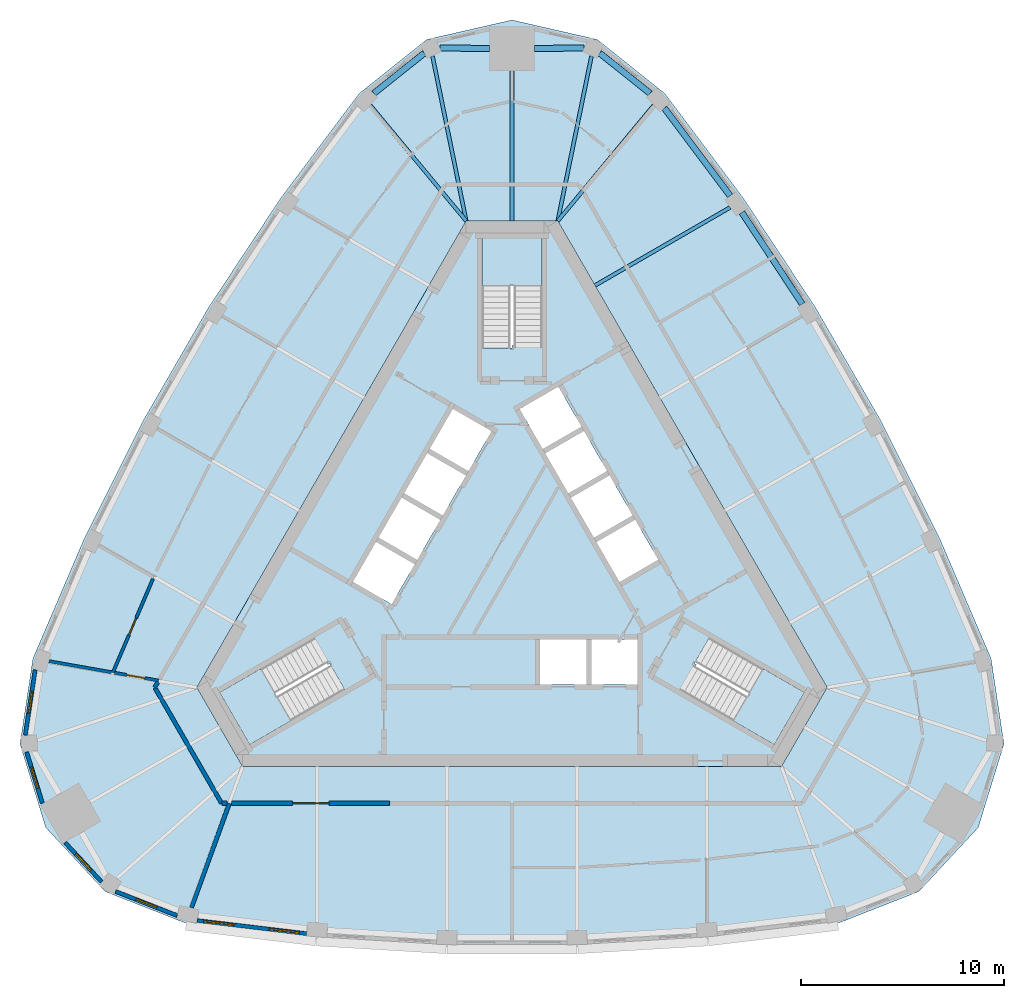
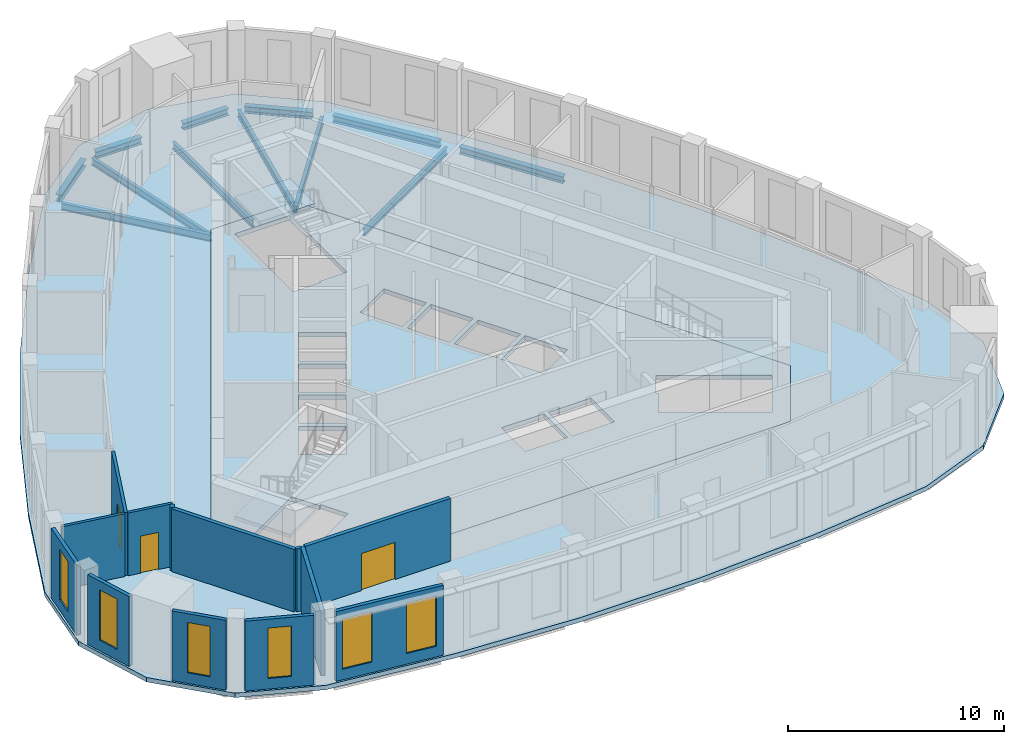
# One storey, part 2 of 10: 13 walls, 12 beams, 6 windows, 5 slabs, 3 doors, 9 openings, 3 elements without a shape of their own.
"""IFC4 building model written with IfcOpenShell, lengths in metres."""

import ifcopenshell
import ifcopenshell.guid

model = None  # the IFC model being written
_history = None  # IfcOwnerHistory: only IFC2X3 demands one
_inside = {}  # id of a spatial element -> (the spatial element, [elements in it])
_under = {}  # id of a project, library or spatial element -> (it, [spatial elements below it])
_declared = {}  # id of a project -> (the project, [libraries it declares])
_typed = {}  # id of a type object -> (the type object, [elements of that type])
_made_of = {}  # id of a material, layer set ... -> (it, [elements and type objects made of it])


def new_model(schema):
    """Start an empty IFC model of exactly this schema.

    Asked for "IFC4X3", IfcOpenShell would pick the latest addendum, in which some entities
    have other attributes; the version numbers below select the first issue.
    IFC2X3 requires an IfcOwnerHistory on every rooted entity: one is made here for all.
    """
    global model, _history
    if schema == "IFC4X3":
        model = ifcopenshell.file(schema_version=(4, 3, 0, 0))
    else:
        model = ifcopenshell.file(schema=schema)
    _inside.clear()
    _under.clear()
    _declared.clear()
    _typed.clear()
    _made_of.clear()
    _history = None
    if model.schema == "IFC2X3":
        org = make("IfcOrganization", Name="unknown")
        user = make(
            "IfcPersonAndOrganization",
            ThePerson=make("IfcPerson", FamilyName="unknown"),
            TheOrganization=org,
        )
        app = make(
            "IfcApplication",
            ApplicationDeveloper=org,
            Version="unknown",
            ApplicationFullName="unknown",
            ApplicationIdentifier="unknown",
        )
        _history = make(
            "IfcOwnerHistory",
            OwningUser=user,
            OwningApplication=app,
            ChangeAction="ADDED",
            CreationDate=0,
        )
    return model


def make(cls, **values):
    """One entity of the class cls with the attributes given. An attribute that is None is left unset."""
    return model.create_entity(
        cls, **{name: value for name, value in values.items() if value is not None}
    )


def rooted(cls, **values):
    """An entity with a GlobalId (a new one), such as an element, a storey or a relation."""
    return make(cls, GlobalId=ifcopenshell.guid.new(), OwnerHistory=_history, **values)


def si_unit(unit_type, name, prefix=None):
    """IfcSIUnit, for example si_unit("LENGTHUNIT", "METRE", prefix="MILLI")."""
    return make("IfcSIUnit", UnitType=unit_type, Prefix=prefix, Name=name)


def assignment(units):
    """IfcUnitAssignment: the units of a project."""
    return None if units is None else make("IfcUnitAssignment", Units=units)


def point(xyz):
    """IfcCartesianPoint."""
    return None if xyz is None else make("IfcCartesianPoint", Coordinates=xyz)


def direction(xyz):
    """IfcDirection."""
    return None if xyz is None else make("IfcDirection", DirectionRatios=xyz)


def frame(location, z_axis=None, x_axis=None):
    """IfcAxis2Placement3D, a coordinate frame: its origin and axes. An axis left out is left unset."""
    return make(
        "IfcAxis2Placement3D",
        Location=point(location),
        Axis=direction(z_axis),
        RefDirection=direction(x_axis),
    )


def frame_2d(location, x_axis=None):
    """IfcAxis2Placement2D, a coordinate frame in the plane: its origin and x axis."""
    return make(
        "IfcAxis2Placement2D", Location=point(location), RefDirection=direction(x_axis)
    )


def origin():
    """The frame at (0, 0, 0) with its axes left unset."""
    return frame((0.0, 0.0, 0.0))


def origin_2d():
    """The frame at (0, 0) in the plane with its x axis left unset."""
    return frame_2d((0.0, 0.0))


def place(relative_to, where):
    """IfcLocalPlacement: puts the frame where relative to a parent placement (None: the world)."""
    return make(
        "IfcLocalPlacement", PlacementRelTo=relative_to, RelativePlacement=where
    )


def context(
    kind, dimensions, precision=None, world=None, true_north=None, identifier=None
):
    """IfcGeometricRepresentationContext, for example the 3D "Model" context."""
    return make(
        "IfcGeometricRepresentationContext",
        ContextIdentifier=identifier,
        ContextType=kind,
        CoordinateSpaceDimension=dimensions,
        Precision=precision,
        WorldCoordinateSystem=world,
        TrueNorth=true_north,
    )


def subcontext(parent, identifier, kind, view, scale=None):
    """IfcGeometricRepresentationSubContext, for example "Body" below "Model"."""
    return make(
        "IfcGeometricRepresentationSubContext",
        ContextIdentifier=identifier,
        ContextType=kind,
        ParentContext=parent,
        TargetScale=scale,
        TargetView=view,
    )


def project(units=None, contexts=None):
    """IfcProject with its units and contexts."""
    return rooted(
        "IfcProject",
        Name="project",
        RepresentationContexts=contexts,
        UnitsInContext=assignment(units),
    )


def spatial(cls, under=None, at=None, **own):
    """A site, building, storey or space (cls), placed at a placement, below another one or the project."""
    s = rooted(cls, ObjectPlacement=at, **own)
    if under is not None:
        _under.setdefault(under.id(), (under, []))[1].append(s)
    return s


def polyline(points):
    """IfcPolyline through the points."""
    return make("IfcPolyline", Points=[point(p) for p in points])


def profile(cls, at=None, kind="AREA", **sizes):
    """A parametric profile (cls). Its sizes go by their IFC names, for example OverallWidth=200.0."""
    return make(cls, ProfileType=kind, Position=at, **sizes)


def rectangle(**sizes):
    """IfcRectangleProfileDef."""
    return profile("IfcRectangleProfileDef", **sizes)


def i_section(**sizes):
    """IfcIShapeProfileDef."""
    return profile("IfcIShapeProfileDef", **sizes)


def outline(outer, holes=None, kind="AREA"):
    """IfcArbitraryClosedProfileDef: a profile drawn as a closed curve; with holes, ...WithVoids."""
    if holes is None:
        return make("IfcArbitraryClosedProfileDef", ProfileType=kind, OuterCurve=outer)
    return make(
        "IfcArbitraryProfileDefWithVoids",
        ProfileType=kind,
        OuterCurve=outer,
        InnerCurves=holes,
    )


def extrude(swept, where, along, depth):
    """IfcExtrudedAreaSolid: the profile swept, set in the frame where, extruded along a direction by depth."""
    return make(
        "IfcExtrudedAreaSolid",
        SweptArea=swept,
        Position=where,
        ExtrudedDirection=direction(along),
        Depth=depth,
    )


def shape(context_of_items, identifier, shape_type, items):
    """IfcShapeRepresentation: the items that make up one representation, for example the "Body"."""
    return make(
        "IfcShapeRepresentation",
        ContextOfItems=context_of_items,
        RepresentationIdentifier=identifier,
        RepresentationType=shape_type,
        Items=items,
    )


def material(Name=None, Category=None):
    """IfcMaterial."""
    return make("IfcMaterial", Name=Name, Category=Category)


def layer(
    of_material, thickness, ventilated=None, Name=None, Category=None, Priority=None
):
    """IfcMaterialLayer: one layer of a wall or slab, of a material (None: an air gap)."""
    return make(
        "IfcMaterialLayer",
        Material=of_material,
        LayerThickness=thickness,
        IsVentilated=ventilated,
        Name=Name,
        Category=Category,
        Priority=Priority,
    )


def layer_set(layers, Name=None):
    """IfcMaterialLayerSet."""
    return make("IfcMaterialLayerSet", MaterialLayers=layers, LayerSetName=Name)


def material_profile(
    of_material, cross_section, Name=None, Category=None, Priority=None
):
    """IfcMaterialProfile: a cross section and its material."""
    return make(
        "IfcMaterialProfile",
        Name=Name,
        Material=of_material,
        Profile=cross_section,
        Priority=Priority,
        Category=Category,
    )


def profile_set(profiles, Name=None, composite=None):
    """IfcMaterialProfileSet."""
    return make(
        "IfcMaterialProfileSet",
        Name=Name,
        MaterialProfiles=profiles,
        CompositeProfile=composite,
    )


def made_of(thing, what):
    """Note that an element or type object is made of a material, layer set ...; save() writes the relation."""
    if what is not None:
        _made_of.setdefault(what.id(), (what, []))[1].append(thing)
    return thing


def type_object(cls, material=None, **own):
    """A type object (cls), such as IfcWallType, which elements share."""
    return made_of(rooted(cls, **own), material)


def element(
    cls,
    number,
    at=None,
    inside=None,
    cuts=None,
    type_object=None,
    material=None,
    context=None,
    identifier="Body",
    shape_type=None,
    held_by="IfcProductDefinitionShape",
    body=None,
    shapes=None,
    **own,
):
    """One element of the class cls, such as IfcWall. Its Tag is "e" and its number.

    at: its placement. inside: the storey or other place that contains it. cuts: it is an
    opening in that element (IfcRelVoidsElement). A single representation is given by context,
    identifier, shape_type and body (its items); several are given by shapes. held_by: the class
    of the entity that holds the representations. save() writes the other relations.
    """
    e = rooted(cls, Tag="e%d" % number, ObjectPlacement=at, **own)
    if body is not None:
        shapes = [shape(context, identifier, shape_type, body)]
    if shapes is not None:
        e.Representation = make(held_by, Representations=shapes)
    if inside is not None:
        _inside.setdefault(inside.id(), (inside, []))[1].append(e)
    if cuts is not None:
        rooted(
            "IfcRelVoidsElement", RelatingBuildingElement=cuts, RelatedOpeningElement=e
        )
    if type_object is not None:
        _typed.setdefault(type_object.id(), (type_object, []))[1].append(e)
    return made_of(e, material)


def fill(opening, filler):
    """IfcRelFillsElement: the door or window that sits in an opening."""
    return rooted(
        "IfcRelFillsElement",
        RelatingOpeningElement=opening,
        RelatedBuildingElement=filler,
    )


def aggregate(whole, parts):
    """IfcRelAggregates: a whole, such as a stair, and the parts it consists of."""
    return rooted("IfcRelAggregates", RelatingObject=whole, RelatedObjects=parts)


def save(model, path):
    """Write the relations noted so far, then the file.

    IfcRelAggregates (storeys below a building ...), IfcRelContainedInSpatialStructure (elements
    in a storey), IfcRelDefinesByType, IfcRelAssociatesMaterial and IfcRelDeclares: one each for
    every whole, place, type object, material and project.
    """
    for whole, parts in _under.values():
        aggregate(whole, parts)
    for where, things in _inside.values():
        rooted(
            "IfcRelContainedInSpatialStructure",
            RelatedElements=things,
            RelatingStructure=where,
        )
    for kind, things in _typed.values():
        rooted("IfcRelDefinesByType", RelatedObjects=things, RelatingType=kind)
    for what, things in _made_of.values():
        rooted("IfcRelAssociatesMaterial", RelatedObjects=things, RelatingMaterial=what)
    for by, libraries in _declared.values():
        rooted("IfcRelDeclares", RelatingContext=by, RelatedDefinitions=libraries)
    model.write(path)


model = new_model("IFC4")

# Units and contexts
model_context = context("Model", 3, precision=1e-05, world=origin(), true_north=direction((0.0, 1.0)))
body_context = subcontext(model_context, "Body", "Model", "MODEL_VIEW")
ifc_project = project(units=[si_unit("LENGTHUNIT", "METRE"), si_unit("AREAUNIT", "SQUARE_METRE"), si_unit("VOLUMEUNIT", "CUBIC_METRE"), si_unit("PLANEANGLEUNIT", "RADIAN"), si_unit("MASSUNIT", "GRAM", prefix="KILO")], contexts=[model_context])

# Site, building, storey
site_placement = place(None, origin())
site = spatial("IfcSite", under=ifc_project, at=site_placement, CompositionType="ELEMENT")
building_placement = place(site_placement, origin())
building = spatial("IfcBuilding", under=site, at=building_placement, Name="Mestral Congress Tower", CompositionType="ELEMENT")
storey_placement = place(building_placement, frame((0.0, 0.0, 300.60009765625)))
storey = spatial("IfcBuildingStorey", under=building, at=storey_placement, Name="L70", CompositionType="ELEMENT", Elevation=300.60009765625)

# Beams
ifc_material_1 = material(Name="Steel S355", Category="steel")
ifc_material_profile_1 = material_profile(ifc_material_1, i_section(OverallWidth=0.179931640625, OverallDepth=0.39990234375, WebThickness=0.008544921875, FlangeThickness=0.013427734375, FilletRadius=0.02099609375, at=origin_2d()), Name="IPE 400")
ifc_profile_set_1 = profile_set([ifc_material_profile_1], Name="Steel S355")
beam_type_1 = type_object("IfcBeamType", Name="Floor beam IPE 400 S355", PredefinedType="BEAM", material=ifc_profile_set_1)
beam_1_placement = place(storey_placement, frame((10.7275390625, 17.263916015625, -0.4501953125), z_axis=(-0.866019720907, -0.500009842903, 0.0), x_axis=(0.500009842903, -0.866019720907, 0.0)))
element("IfcBeam", 1, at=beam_1_placement, inside=storey, type_object=beam_type_1, Name="BM-L70-RB5-E04", PredefinedType="BEAM", context=body_context, shape_type="SweptSolid", body=[
    extrude(i_section(OverallWidth=0.179931640625, OverallDepth=0.39990234375, WebThickness=0.008544921875, FlangeThickness=0.013427734375, FilletRadius=0.02099609375, at=origin_2d()), origin(), (0.0, 0.0, 1.0), 7.672119140625),
])
beam_2_placement = place(storey_placement, frame((6.969970703125, 22.2890625, -0.4501953125), z_axis=(-0.638382651591, -0.769719163168, 0.0), x_axis=(0.769719163168, -0.638382651591, 0.0)))
element("IfcBeam", 2, at=beam_2_placement, inside=storey, type_object=beam_type_1, Name="BM-L70-RB5-E05", PredefinedType="BEAM", context=body_context, shape_type="SweptSolid", body=[
    extrude(i_section(OverallWidth=0.179931640625, OverallDepth=0.39990234375, WebThickness=0.008544921875, FlangeThickness=0.013427734375, FilletRadius=0.02099609375, at=origin_2d()), origin(), (0.0, 0.0, 1.0), 7.390869140625),
])
beam_3_placement = place(storey_placement, frame((3.910888671875, 24.7119140625, -0.4501953125), z_axis=(-0.200389803804, -0.979716247967, 0.0), x_axis=(0.979716247967, -0.200389803804, 0.0)))
element("IfcBeam", 3, at=beam_3_placement, inside=storey, type_object=beam_type_1, Name="BM-L70-RB5-N1", PredefinedType="BEAM", context=body_context, shape_type="SweptSolid", body=[
    extrude(i_section(OverallWidth=0.179931640625, OverallDepth=0.39990234375, WebThickness=0.008544921875, FlangeThickness=0.013427734375, FilletRadius=0.02099609375, at=origin_2d()), origin(), (0.0, 0.0, 1.0), 8.27978515625),
])
beam_4_placement = place(storey_placement, frame((0.0, 23.97802734375, -0.4501953125), z_axis=(0.0, -1.0, 0.0), x_axis=(1.0, 0.0, 0.0)))
element("IfcBeam", 4, at=beam_4_placement, inside=storey, type_object=beam_type_1, Name="BM-L70-RB5-N", PredefinedType="BEAM", context=body_context, shape_type="SweptSolid", body=[
    extrude(i_section(OverallWidth=0.179931640625, OverallDepth=0.39990234375, WebThickness=0.008544921875, FlangeThickness=0.013427734375, FilletRadius=0.02099609375, at=origin_2d()), origin(), (0.0, 0.0, 1.0), 7.3779296875),
])
beam_5_placement = place(storey_placement, frame((-3.910888671875, 24.7119140625, -0.4501953125), z_axis=(0.200389803804, -0.979716247967, 0.0), x_axis=(0.979716247967, 0.200389803804, 0.0)))
element("IfcBeam", 5, at=beam_5_placement, inside=storey, type_object=beam_type_1, Name="BM-L70-RB5-N3", PredefinedType="BEAM", context=body_context, shape_type="SweptSolid", body=[
    extrude(i_section(OverallWidth=0.179931640625, OverallDepth=0.39990234375, WebThickness=0.008544921875, FlangeThickness=0.013427734375, FilletRadius=0.02099609375, at=origin_2d()), origin(), (0.0, 0.0, 1.0), 8.27978515625),
])
beam_6_placement = place(storey_placement, frame((-6.969970703125, 22.2890625, -0.4501953125), z_axis=(0.638382651591, -0.769719163168, 0.0), x_axis=(0.769719163168, 0.638382651591, 0.0)))
element("IfcBeam", 6, at=beam_6_placement, inside=storey, type_object=beam_type_1, Name="BM-L70-RB5-W00", PredefinedType="BEAM", context=body_context, shape_type="SweptSolid", body=[
    extrude(i_section(OverallWidth=0.179931640625, OverallDepth=0.39990234375, WebThickness=0.008544921875, FlangeThickness=0.013427734375, FilletRadius=0.02099609375, at=origin_2d()), origin(), (0.0, 0.0, 1.0), 7.390869140625),
])
ifc_material_profile_2 = material_profile(ifc_material_1, i_section(OverallWidth=0.300048828125, OverallDepth=0.389892578125, WebThickness=0.010986328125, FlangeThickness=0.01904296875, FilletRadius=0.027099609375, at=origin_2d()), Name="HEA 400")
ifc_profile_set_2 = profile_set([ifc_material_profile_2], Name="Steel S355")
beam_type_2 = type_object("IfcBeamType", Name="Spandrel beam HEA 400 S355", PredefinedType="BEAM", material=ifc_profile_set_2)
beam_7_placement = place(storey_placement, frame((14.280517578125, 12.51611328125, -0.445068359375), z_axis=(-0.550748957655, 0.83467094453, 0.0), x_axis=(-0.83467094453, -0.550748957655, 0.0)))
element("IfcBeam", 7, at=beam_7_placement, inside=storey, type_object=beam_type_2, Name="SP-L70-SB5-E03", PredefinedType="BEAM", context=body_context, shape_type="SweptSolid", body=[
    extrude(i_section(OverallWidth=0.300048828125, OverallDepth=0.389892578125, WebThickness=0.010986328125, FlangeThickness=0.01904296875, FilletRadius=0.027099609375, at=origin_2d()), origin(), (0.0, 0.0, 1.0), 5.3984375),
])
beam_8_placement = place(storey_placement, frame((10.73193359375, 17.83984375, -0.445068359375), z_axis=(-0.599529393236, 0.800352738888, 0.0), x_axis=(-0.800352738888, -0.599529393236, 0.0)))
element("IfcBeam", 8, at=beam_8_placement, inside=storey, type_object=beam_type_2, Name="SP-L70-SB5-E04", PredefinedType="BEAM", context=body_context, shape_type="SweptSolid", body=[
    extrude(i_section(OverallWidth=0.300048828125, OverallDepth=0.389892578125, WebThickness=0.010986328125, FlangeThickness=0.01904296875, FilletRadius=0.027099609375, at=origin_2d()), origin(), (0.0, 0.0, 1.0), 5.396484375),
])
beam_9_placement = place(storey_placement, frame((6.7998046875, 22.876708984375, -0.445068359375), z_axis=(-0.781647188603, 0.623720829016, 0.0), x_axis=(-0.623720829016, -0.781647188603, 0.0)))
element("IfcBeam", 9, at=beam_9_placement, inside=storey, type_object=beam_type_2, Name="SP-L70-SB5-E05", PredefinedType="BEAM", context=body_context, shape_type="SweptSolid", body=[
    extrude(i_section(OverallWidth=0.300048828125, OverallDepth=0.389892578125, WebThickness=0.010986328125, FlangeThickness=0.01904296875, FilletRadius=0.027099609375, at=origin_2d()), origin(), (0.0, 0.0, 1.0), 3.179931640625),
])
for number, where, z_axis, x_axis, name in (
    (10, (3.54736328125, 25.11181640625, -0.445068359375), (-0.999955093848, -0.009476829002, 0.0), (0.009476829002, -0.999955093848, 0.0), "SP-L70-SB5-N1"),
    (11, (-1.10009765625, 25.088623046875, -0.445068359375), (-0.999955093848, 0.009476829002, 0.0), (-0.009476829002, -0.999955093848, 0.0), "SP-L70-SB5-N"),
):
    element("IfcBeam", number, at=place(storey_placement, frame(where, z_axis=z_axis, x_axis=x_axis)), inside=storey, type_object=beam_type_2, Name=name, PredefinedType="BEAM", context=body_context, shape_type="SweptSolid", body=[
        extrude(i_section(OverallWidth=0.300048828125, OverallDepth=0.389892578125, WebThickness=0.010986328125, FlangeThickness=0.01904296875, FilletRadius=0.027099609375, at=origin_2d()), origin(), (0.0, 0.0, 1.0), 2.447265625),
    ])
beam_10_placement = place(storey_placement, frame((-4.314208984375, 24.860107421875, -0.445068359375), z_axis=(-0.781647188603, -0.623720829016, 0.0), x_axis=(0.623720829016, -0.781647188603, 0.0)))
element("IfcBeam", 12, at=beam_10_placement, inside=storey, type_object=beam_type_2, Name="SP-L70-SB5-N3", PredefinedType="BEAM", context=body_context, shape_type="SweptSolid", body=[
    extrude(i_section(OverallWidth=0.300048828125, OverallDepth=0.389892578125, WebThickness=0.010986328125, FlangeThickness=0.01904296875, FilletRadius=0.027099609375, at=origin_2d()), origin(), (0.0, 0.0, 1.0), 3.179931640625),
])

# Slabs
ifc_material_2 = material(Name="Concrete C35/45", Category="concrete")
ifc_layer_1 = layer(ifc_material_2, 0.25)
ifc_layer_set_1 = layer_set([ifc_layer_1], Name="Concrete C35/45")
slab_type_1 = type_object("IfcSlabType", Name="Composite floor slab 250", PredefinedType="FLOOR", material=ifc_layer_set_1)
placement_1 = place(storey_placement, frame((0.0, 0.0, -0.25)))
element("IfcSlab", 13, at=placement_1, inside=storey, type_object=slab_type_1, Name="SL-L70", PredefinedType="FLOOR", context=body_context, shape_type="SweptSolid", body=[
    extrude(outline(polyline([(-16.051513671875, -17.951904296875), (-20.014404296875, -16.39794921875), (-22.940673828125, -13.244873046875), (-24.208251953125, -9.1337890625), (-23.572509765625, -4.925048828125), (-21.027587890625, 1.0234375), (-18.152099609375, 6.77001953125), (-14.939208984375, 12.335205078125), (-11.400146484375, 17.698486328125), (-7.52099609375, 22.876953125), (-4.19384765625, 25.531982421875), (0.0, 26.48974609375), (4.19384765625, 25.531982421875), (7.52099609375, 22.876953125), (11.400146484375, 17.698486328125), (14.939208984375, 12.335205078125), (18.152099609375, 6.77001953125), (21.027587890625, 1.0234375), (23.572509765625, -4.925048828125), (24.208251953125, -9.1337890625), (22.940673828125, -13.244873046875), (20.014404296875, -16.39794921875), (16.051513671875, -17.951904296875), (9.62744140625, -18.72216796875), (3.212890625, -19.105224609375), (-3.212890625, -19.105224609375), (-9.62744140625, -18.72216796875), (-16.051513671875, -17.951904296875)]), holes=[polyline([(-2.251708984375, 16.60009765625), (-15.501953125, -6.35009765625), (-13.250244140625, -10.25), (13.250244140625, -10.25), (15.501953125, -6.35009765625), (2.251708984375, 16.60009765625), (-2.251708984375, 16.60009765625)])]), origin(), (0.0, 0.0, 1.0), 0.25),
])
ifc_material_3 = material(Name="Concrete C60/75", Category="concrete")
ifc_layer_2 = layer(ifc_material_3, 0.25)
ifc_layer_set_2 = layer_set([ifc_layer_2], Name="Concrete C60/75")
slab_type_2 = type_object("IfcSlabType", Name="Core floor slab RC 250", PredefinedType="FLOOR", material=ifc_layer_set_2)
element("IfcSlab", 14, at=placement_1, inside=storey, type_object=slab_type_2, Name="L70 core floor", PredefinedType="FLOOR", context=body_context, shape_type="SweptSolid", body=[
    extrude(outline(polyline([(13.250244140625, -10.25), (-13.250244140625, -10.25), (-15.501953125, -6.35009765625), (-2.251708984375, 16.60009765625), (2.251708984375, 16.60009765625), (15.501953125, -6.35009765625), (13.250244140625, -10.25)]), holes=[polyline([(-14.37744140625, -6.59765625), (-12.90234375, -9.15234375), (-8.234619140625, -6.45751953125), (-8.971923828125, -5.179931640625), (-9.0673828125, -5.235107421875), (-9.8046875, -3.95751953125), (-14.37744140625, -6.59765625)]), polyline([(-5.921630859375, -2.256591796875), (-4.78662109375, -0.29052734375), (-6.69189453125, 0.809326171875), (-7.826904296875, -1.156494140625), (-5.921630859375, -2.256591796875)]), polyline([(-4.66162109375, -0.07421875), (-3.526611328125, 1.8916015625), (-5.431884765625, 2.99169921875), (-6.56689453125, 1.02587890625), (-4.66162109375, -0.07421875)]), polyline([(-2.2666015625, 4.07421875), (-4.171875, 5.174072265625), (-5.306884765625, 3.208251953125), (-3.401611328125, 2.1083984375), (-2.2666015625, 4.07421875)]), polyline([(-2.1416015625, 4.29052734375), (-1.006591796875, 6.256591796875), (-2.911865234375, 7.3564453125), (-4.046875, 5.390625), (-2.1416015625, 4.29052734375)]), polyline([(0.376708984375, 7.34765625), (1.51171875, 5.3818359375), (3.4169921875, 6.481689453125), (2.281982421875, 8.44775390625), (0.376708984375, 7.34765625)]), polyline([(1.47509765625, 15.75), (-1.47509765625, 15.75), (-1.47509765625, 10.360107421875), (0.0, 10.360107421875), (0.0, 10.469970703125), (1.47509765625, 10.469970703125), (1.47509765625, 15.75)]), polyline([(8.329833984375, -6.512451171875), (12.90234375, -9.15234375), (14.37744140625, -6.59765625), (9.70947265625, -3.902587890625), (8.971923828125, -5.179931640625), (9.0673828125, -5.235107421875), (8.329833984375, -6.512451171875)]), polyline([(3.655029296875, -4.0), (1.385009765625, -4.0), (1.385009765625, -6.199951171875), (3.655029296875, -6.199951171875), (3.655029296875, -4.0)]), polyline([(6.175048828125, -4.0), (3.905029296875, -4.0), (3.905029296875, -6.199951171875), (6.175048828125, -6.199951171875), (6.175048828125, -4.0)]), polyline([(4.156494140625, 0.800537109375), (5.29150390625, -1.165283203125), (7.197021484375, -0.065185546875), (6.06201171875, 1.900634765625), (4.156494140625, 0.800537109375)]), polyline([(2.896484375, 2.98291015625), (4.031494140625, 1.01708984375), (5.93701171875, 2.1171875), (4.802001953125, 4.0830078125), (2.896484375, 2.98291015625)]), polyline([(1.63671875, 5.165283203125), (2.771484375, 3.199462890625), (4.677001953125, 4.29931640625), (3.5419921875, 6.265380859375), (1.63671875, 5.165283203125)])]), origin(), (0.0, 0.0, 1.0), 0.25),
])

# Stair, slab
stair_type = type_object("IfcStairType", Name="Exit stair 1400", PredefinedType="HALF_TURN_STAIR", material=ifc_material_3)
placement_2 = place(storey_placement, origin())
stair_1 = element("IfcStair", 15, at=placement_2, inside=storey, type_object=stair_type, Name="L70 ST1", PredefinedType="HALF_TURN_STAIR")
ifc_layer_3 = layer(ifc_material_3, 0.199951171875)
ifc_layer_set_3 = layer_set([ifc_layer_3], Name="Concrete C60/75")
slab_type_3 = type_object("IfcSlabType", Name="Exit stair landing 200", PredefinedType="LANDING", material=ifc_layer_set_3)
placement_3 = place(storey_placement, frame((0.0, 0.0, 1.89990234375)))
slab_3 = element("IfcSlab", 16, at=placement_3, type_object=slab_type_3, Name="ST1 landing 1", PredefinedType="LANDING", context=body_context, shape_type="SweptSolid", body=[
    extrude(outline(polyline([(10.879638671875, -7.99609375), (12.364501953125, -5.424072265625), (14.39111328125, -6.593994140625), (12.906005859375, -9.166015625), (10.879638671875, -7.99609375)])), origin(), (0.0, 0.0, 1.0), 0.199951171875),
])
aggregate(stair_1, [slab_3])

stair_2 = element("IfcStair", 17, at=placement_2, inside=storey, type_object=stair_type, Name="L70 ST2", PredefinedType="HALF_TURN_STAIR")
slab_4 = element("IfcSlab", 18, at=placement_3, type_object=slab_type_3, Name="ST2 landing 1", PredefinedType="LANDING", context=body_context, shape_type="SweptSolid", body=[
    extrude(outline(polyline([(1.485107421875, 13.419921875), (-1.485107421875, 13.419921875), (-1.485107421875, 15.760009765625), (1.485107421875, 15.760009765625), (1.485107421875, 13.419921875)])), origin(), (0.0, 0.0, 1.0), 0.199951171875),
])
aggregate(stair_2, [slab_4])

stair_3 = element("IfcStair", 19, at=placement_2, inside=storey, type_object=stair_type, Name="L70 ST3", PredefinedType="HALF_TURN_STAIR")
slab_5 = element("IfcSlab", 20, at=placement_3, type_object=slab_type_3, Name="ST3 landing 1", PredefinedType="LANDING", context=body_context, shape_type="SweptSolid", body=[
    extrude(outline(polyline([(-12.364501953125, -5.424072265625), (-10.879638671875, -7.99609375), (-12.906005859375, -9.166015625), (-14.39111328125, -6.593994140625), (-12.364501953125, -5.424072265625)])), origin(), (0.0, 0.0, 1.0), 0.199951171875),
])
aggregate(stair_3, [slab_5])

# Wall, openings, windows
ifc_material_4 = material(Name="Precast concrete C40/50 with limestone facing", Category="masonry")
ifc_layer_4 = layer(ifc_material_4, 0.18994140625)
ifc_layer_set_4 = layer_set([ifc_layer_4], Name="Precast concrete C40/50 with limestone facing")
wall_type_1 = type_object("IfcWallType", Name="Facade stone wall 190", PredefinedType="SOLIDWALL", material=ifc_layer_set_4)
wall_1_placement = place(storey_placement, frame((-15.487060546875, -17.822998046875, 0.0), z_axis=(0.0, 0.0, 1.0), x_axis=(0.992885582795, -0.119072328769, 0.0)))
wall_1 = element("IfcWall", 21, at=wall_1_placement, inside=storey, type_object=wall_type_1, Name="Facade wall F0-00", PredefinedType="SOLIDWALL", context=body_context, shape_type="SweptSolid", body=[
    extrude(rectangle(XDim=5.4150390625, YDim=0.18994140625, at=frame_2d((2.70751953125, 0.0))), origin(), (0.0, 0.0, 1.0), 3.949951171875),
])
opening_1_placement = place(wall_1_placement, frame((0.322509765625, 0.0, 0.60009765625)))
opening_1 = element("IfcOpeningElement", 22, at=opening_1_placement, cuts=wall_1, Name="Opening W6", PredefinedType="OPENING", context=body_context, shape_type="SweptSolid", body=[
    extrude(rectangle(XDim=1.5, YDim=2.85009765625, at=frame_2d((0.75, 1.425048828125))), frame((0.0, 0.10498046875, 0.0), z_axis=(0.0, -1.0, 0.0), x_axis=(1.0, 0.0, 0.0)), (0.0, 0.0, 1.0), 0.2099609375),
])
opening_2_placement = place(wall_1_placement, frame((3.5576171875, 0.0, 0.60009765625)))
opening_2 = element("IfcOpeningElement", 23, at=opening_2_placement, cuts=wall_1, Name="Opening W6", PredefinedType="OPENING", context=body_context, shape_type="SweptSolid", body=[
    extrude(rectangle(XDim=1.5, YDim=2.85009765625, at=frame_2d((0.75, 1.425048828125))), frame((0.0, 0.10498046875, 0.0), z_axis=(0.0, -1.0, 0.0), x_axis=(1.0, 0.0, 0.0)), (0.0, 0.0, 1.0), 0.2099609375),
])
ifc_material_5 = material(Name="Clear low-emissivity double glazing", Category="glass")
window_type_1 = type_object("IfcWindowType", Name="Facade punched window 1500 x 2850 sill 600", PartitioningType="SINGLE_PANEL", PredefinedType="WINDOW", material=ifc_material_5)
window_1_placement = place(opening_1_placement, origin())
window_1 = element("IfcWindow", 24, at=window_1_placement, inside=storey, type_object=window_type_1, Name="Window F0-00a", OverallHeight=2.85009765625, OverallWidth=1.5, PartitioningType="SINGLE_PANEL", PredefinedType="WINDOW", context=body_context, shape_type="SweptSolid", body=[
    extrude(rectangle(XDim=1.5, YDim=2.85009765625, at=frame_2d((0.75, 1.425048828125))), frame((0.0, 0.044921875, 0.0), z_axis=(0.0, -1.0, 0.0), x_axis=(1.0, 0.0, 0.0)), (0.0, 0.0, 1.0), 0.06005859375),
])
fill(opening_1, window_1)
window_2_placement = place(opening_2_placement, origin())
window_2 = element("IfcWindow", 25, at=window_2_placement, inside=storey, type_object=window_type_1, Name="Window F0-00b", OverallHeight=2.85009765625, OverallWidth=1.5, PartitioningType="SINGLE_PANEL", PredefinedType="WINDOW", context=body_context, shape_type="SweptSolid", body=[
    extrude(rectangle(XDim=1.5, YDim=2.85009765625, at=frame_2d((0.75, 1.425048828125))), frame((0.0, 0.044921875, 0.0), z_axis=(0.0, -1.0, 0.0), x_axis=(1.0, 0.0, 0.0)), (0.0, 0.0, 1.0), 0.06005859375),
])
fill(opening_2, window_2)

# Wall, opening, window
wall_2_placement = place(storey_placement, frame((-23.460205078125, -5.488037109375, 0.0), z_axis=(0.0, 0.0, 1.0), x_axis=(-0.149421055602, -0.988773658702, 0.0)))
wall_2 = element("IfcWall", 26, at=wall_2_placement, inside=storey, type_object=wall_type_1, Name="Facade wall K2-0", PredefinedType="SOLIDWALL", context=body_context, shape_type="SweptSolid", body=[
    extrude(rectangle(XDim=3.23681640625, YDim=0.18994140625, at=frame_2d((1.618408203125, 0.0))), origin(), (0.0, 0.0, 1.0), 3.949951171875),
])
opening_3_placement = place(wall_2_placement, frame((1.068359375, 0.0, 0.60009765625)))
opening_3 = element("IfcOpeningElement", 27, at=opening_3_placement, cuts=wall_2, Name="Opening W7", PredefinedType="OPENING", context=body_context, shape_type="SweptSolid", body=[
    extrude(rectangle(XDim=1.10009765625, YDim=2.85009765625, at=frame_2d((0.550048828125, 1.425048828125))), frame((0.0, 0.10498046875, 0.0), z_axis=(0.0, -1.0, 0.0), x_axis=(1.0, 0.0, 0.0)), (0.0, 0.0, 1.0), 0.2099609375),
])
window_type_2 = type_object("IfcWindowType", Name="Facade punched window 1100 x 2850 sill 600", PartitioningType="SINGLE_PANEL", PredefinedType="WINDOW", material=ifc_material_5)
window_3_placement = place(opening_3_placement, origin())
window_3 = element("IfcWindow", 28, at=window_3_placement, inside=storey, type_object=window_type_2, Name="Window K2-0", OverallHeight=2.85009765625, OverallWidth=1.10009765625, PartitioningType="SINGLE_PANEL", PredefinedType="WINDOW", context=body_context, shape_type="SweptSolid", body=[
    extrude(rectangle(XDim=1.10009765625, YDim=2.85009765625, at=frame_2d((0.550048828125, 1.425048828125))), frame((0.0, 0.044921875, 0.0), z_axis=(0.0, -1.0, 0.0), x_axis=(1.0, 0.0, 0.0)), (0.0, 0.0, 1.0), 0.06005859375),
])
fill(opening_3, window_3)

wall_3_placement = place(storey_placement, frame((-23.880615234375, -9.53515625, 0.0), z_axis=(0.0, 0.0, 1.0), x_axis=(0.294706210429, -0.9555879078, 0.0)))
wall_3 = element("IfcWall", 29, at=wall_3_placement, inside=storey, type_object=wall_type_1, Name="Facade wall K2-1", PredefinedType="SOLIDWALL", context=body_context, shape_type="SweptSolid", body=[
    extrude(rectangle(XDim=2.626953125, YDim=0.18994140625, at=frame_2d((1.3134765625, 0.0))), origin(), (0.0, 0.0, 1.0), 3.949951171875),
])
opening_4_placement = place(wall_3_placement, frame((0.763427734375, 0.0, 0.60009765625)))
opening_4 = element("IfcOpeningElement", 30, at=opening_4_placement, cuts=wall_3, Name="Opening W7", PredefinedType="OPENING", context=body_context, shape_type="SweptSolid", body=[
    extrude(rectangle(XDim=1.10009765625, YDim=2.85009765625, at=frame_2d((0.550048828125, 1.425048828125))), frame((0.0, 0.10498046875, 0.0), z_axis=(0.0, -1.0, 0.0), x_axis=(1.0, 0.0, 0.0)), (0.0, 0.0, 1.0), 0.2099609375),
])
window_4_placement = place(opening_4_placement, origin())
window_4 = element("IfcWindow", 31, at=window_4_placement, inside=storey, type_object=window_type_2, Name="Window K2-1", OverallHeight=2.85009765625, OverallWidth=1.10009765625, PartitioningType="SINGLE_PANEL", PredefinedType="WINDOW", context=body_context, shape_type="SweptSolid", body=[
    extrude(rectangle(XDim=1.10009765625, YDim=2.85009765625, at=frame_2d((0.550048828125, 1.425048828125))), frame((0.0, 0.044921875, 0.0), z_axis=(0.0, -1.0, 0.0), x_axis=(1.0, 0.0, 0.0)), (0.0, 0.0, 1.0), 0.06005859375),
])
fill(opening_4, window_4)

wall_4_placement = place(storey_placement, frame((-21.98486328125, -13.988037109375, 0.0), z_axis=(0.0, 0.0, 1.0), x_axis=(0.680219354823, -0.733008614768, 0.0)))
wall_4 = element("IfcWall", 32, at=wall_4_placement, inside=storey, type_object=wall_type_1, Name="Facade wall K2-2", PredefinedType="SOLIDWALL", context=body_context, shape_type="SweptSolid", body=[
    extrude(rectangle(XDim=2.626953125, YDim=0.18994140625, at=frame_2d((1.3134765625, 0.0))), origin(), (0.0, 0.0, 1.0), 3.949951171875),
])
opening_5_placement = place(wall_4_placement, frame((0.763427734375, 0.0, 0.60009765625)))
opening_5 = element("IfcOpeningElement", 33, at=opening_5_placement, cuts=wall_4, Name="Opening W7", PredefinedType="OPENING", context=body_context, shape_type="SweptSolid", body=[
    extrude(rectangle(XDim=1.10009765625, YDim=2.85009765625, at=frame_2d((0.550048828125, 1.425048828125))), frame((0.0, 0.10498046875, 0.0), z_axis=(0.0, -1.0, 0.0), x_axis=(1.0, 0.0, 0.0)), (0.0, 0.0, 1.0), 0.2099609375),
])
window_5_placement = place(opening_5_placement, origin())
window_5 = element("IfcWindow", 34, at=window_5_placement, inside=storey, type_object=window_type_2, Name="Window K2-2", OverallHeight=2.85009765625, OverallWidth=1.10009765625, PartitioningType="SINGLE_PANEL", PredefinedType="WINDOW", context=body_context, shape_type="SweptSolid", body=[
    extrude(rectangle(XDim=1.10009765625, YDim=2.85009765625, at=frame_2d((0.550048828125, 1.425048828125))), frame((0.0, 0.044921875, 0.0), z_axis=(0.0, -1.0, 0.0), x_axis=(1.0, 0.0, 0.0)), (0.0, 0.0, 1.0), 0.06005859375),
])
fill(opening_5, window_5)

wall_5_placement = place(storey_placement, frame((-19.496337890625, -16.3916015625, 0.0), z_axis=(0.0, 0.0, 1.0), x_axis=(0.93100888477, -0.364996515709, 0.0)))
wall_5 = element("IfcWall", 35, at=wall_5_placement, inside=storey, type_object=wall_type_1, Name="Facade wall K2-3", PredefinedType="SOLIDWALL", context=body_context, shape_type="SweptSolid", body=[
    extrude(rectangle(XDim=3.23681640625, YDim=0.18994140625, at=frame_2d((1.618408203125, 0.0))), origin(), (0.0, 0.0, 1.0), 3.949951171875),
])
opening_6_placement = place(wall_5_placement, frame((1.068359375, 0.0, 0.60009765625)))
opening_6 = element("IfcOpeningElement", 36, at=opening_6_placement, cuts=wall_5, Name="Opening W7", PredefinedType="OPENING", context=body_context, shape_type="SweptSolid", body=[
    extrude(rectangle(XDim=1.10009765625, YDim=2.85009765625, at=frame_2d((0.550048828125, 1.425048828125))), frame((0.0, 0.10498046875, 0.0), z_axis=(0.0, -1.0, 0.0), x_axis=(1.0, 0.0, 0.0)), (0.0, 0.0, 1.0), 0.2099609375),
])
window_6_placement = place(opening_6_placement, origin())
window_6 = element("IfcWindow", 37, at=window_6_placement, inside=storey, type_object=window_type_2, Name="Window K2-3", OverallHeight=2.85009765625, OverallWidth=1.10009765625, PartitioningType="SINGLE_PANEL", PredefinedType="WINDOW", context=body_context, shape_type="SweptSolid", body=[
    extrude(rectangle(XDim=1.10009765625, YDim=2.85009765625, at=frame_2d((0.550048828125, 1.425048828125))), frame((0.0, 0.044921875, 0.0), z_axis=(0.0, -1.0, 0.0), x_axis=(1.0, 0.0, 0.0)), (0.0, 0.0, 1.0), 0.06005859375),
])
fill(opening_6, window_6)

# Wall, opening, door
ifc_material_6 = material(Name="Plasterboard partition on steel studs", Category="steel")
ifc_layer_5 = layer(ifc_material_6, 0.14990234375)
ifc_layer_set_5 = layer_set([ifc_layer_5], Name="Plasterboard partition on steel studs")
wall_type_2 = type_object("IfcWallType", Name="Office partition 150", PredefinedType="PARTITIONING", material=ifc_layer_set_5)
wall_6_placement = place(storey_placement, frame((-19.638671875, -5.61962890625, 0.0), z_axis=(0.0, 0.0, 1.0), x_axis=(0.393349802257, 0.919388891092, 0.0)))
wall_6 = element("IfcWall", 38, at=wall_6_placement, inside=storey, type_object=wall_type_2, Name="Partition", PredefinedType="PARTITIONING", context=body_context, shape_type="SweptSolid", body=[
    extrude(rectangle(XDim=5.019287109375, YDim=0.14990234375, at=frame_2d((2.509765625, 0.0))), origin(), (0.0, 0.0, 1.0), 3.5498046875),
])
opening_7_placement = place(wall_6_placement, frame((2.019287109375, 0.0, 0.0)))
opening_7 = element("IfcOpeningElement", 39, at=opening_7_placement, cuts=wall_6, Name="Opening O13-016", PredefinedType="OPENING", context=body_context, shape_type="SweptSolid", body=[
    extrude(rectangle(XDim=0.89990234375, YDim=2.10009765625, at=frame_2d((0.449951171875, 1.050048828125))), frame((0.0, 0.0849609375, 0.0), z_axis=(0.0, -1.0, 0.0), x_axis=(1.0, 0.0, 0.0)), (0.0, 0.0, 1.0), 0.169921875),
])
ifc_material_7 = material(Name="Timber door set", Category="wood")
door_type_1 = type_object("IfcDoorType", Name="Office door 900x2100", OperationType="SINGLE_SWING_LEFT", PredefinedType="DOOR", material=ifc_material_7)
door_1_placement = place(opening_7_placement, origin())
door_1 = element("IfcDoor", 40, at=door_1_placement, inside=storey, type_object=door_type_1, Name="Door O13-016", OperationType="SINGLE_SWING_LEFT", OverallHeight=2.10009765625, OverallWidth=0.89990234375, PredefinedType="DOOR", context=body_context, shape_type="SweptSolid", body=[
    extrude(rectangle(XDim=0.89990234375, YDim=2.10009765625, at=frame_2d((0.449951171875, 1.050048828125))), frame((0.0, 0.02490234375, 0.0), z_axis=(0.0, -1.0, 0.0), x_axis=(1.0, 0.0, 0.0)), (0.0, 0.0, 1.0), 0.050048828125),
])
fill(opening_7, door_1)

# Wall
wall_7_placement = place(storey_placement, frame((-19.71435546875, -5.606201171875, 0.0), z_axis=(0.0, 0.0, 1.0), x_axis=(-0.984768527071, 0.173870492294, 0.0)))
element("IfcWall", 41, at=wall_7_placement, inside=storey, type_object=wall_type_2, Name="Partition", PredefinedType="PARTITIONING", context=body_context, shape_type="SweptSolid", body=[
    extrude(rectangle(XDim=3.107421875, YDim=0.14990234375, at=frame_2d((1.5537109375, 0.0))), origin(), (0.0, 0.0, 1.0), 3.5498046875),
])

# Wall, opening, door
wall_8_placement = place(storey_placement, frame((-17.387939453125, -6.01708984375, 0.0), z_axis=(0.0, 0.0, 1.0), x_axis=(-0.984764633635, 0.173892542513, 0.0)))
wall_8 = element("IfcWall", 42, at=wall_8_placement, inside=storey, type_object=wall_type_2, Name="Partition", PredefinedType="PARTITIONING", context=body_context, shape_type="SweptSolid", body=[
    extrude(rectangle(XDim=2.20849609375, YDim=0.14990234375, at=frame_2d((1.104248046875, 0.0))), origin(), (0.0, 0.0, 1.0), 3.5498046875),
])
opening_8_placement = place(wall_8_placement, frame((0.699951171875, 0.0, 0.0)))
opening_8 = element("IfcOpeningElement", 43, at=opening_8_placement, cuts=wall_8, Name="Opening O13-018", PredefinedType="OPENING", context=body_context, shape_type="SweptSolid", body=[
    extrude(rectangle(XDim=0.89990234375, YDim=2.10009765625, at=frame_2d((0.449951171875, 1.050048828125))), frame((0.0, 0.0849609375, 0.0), z_axis=(0.0, -1.0, 0.0), x_axis=(1.0, 0.0, 0.0)), (0.0, 0.0, 1.0), 0.169921875),
])
door_2_placement = place(opening_8_placement, origin())
door_2 = element("IfcDoor", 44, at=door_2_placement, inside=storey, type_object=door_type_1, Name="Door O13-018", OperationType="SINGLE_SWING_RIGHT", OverallHeight=2.10009765625, OverallWidth=0.89990234375, PredefinedType="DOOR", context=body_context, shape_type="SweptSolid", body=[
    extrude(rectangle(XDim=0.89990234375, YDim=2.10009765625, at=frame_2d((0.449951171875, 1.050048828125))), frame((0.0, 0.02490234375, 0.0), z_axis=(0.0, -1.0, 0.0), x_axis=(1.0, 0.0, 0.0)), (0.0, 0.0, 1.0), 0.050048828125),
])
fill(opening_8, door_2)

# Wall
ifc_material_8 = material(Name="Dense masonry wall, plastered", Category="masonry")
ifc_layer_6 = layer(ifc_material_8, 0.199951171875)
ifc_layer_set_6 = layer_set([ifc_layer_6], Name="Dense masonry wall, plastered")
wall_type_3 = type_object("IfcWallType", Name="Office tenancy wall 200", PredefinedType="PARTITIONING", material=ifc_layer_set_6)
wall_9_placement = place(storey_placement, frame((-15.7744140625, -17.190185546875, 0.0), z_axis=(0.0, 0.0, 1.0), x_axis=(0.341821907823, 0.93976474893, 0.0)))
element("IfcWall", 45, at=wall_9_placement, inside=storey, type_object=wall_type_3, Name="Tenancy wall", PredefinedType="PARTITIONING", context=body_context, shape_type="SweptSolid", body=[
    extrude(rectangle(XDim=5.469482421875, YDim=0.199951171875, at=frame_2d((2.73486328125, 0.0))), origin(), (0.0, 0.0, 1.0), 3.5498046875),
])

# Wall, opening, door
wall_10_placement = place(storey_placement, frame((-13.798583984375, -12.050048828125, 0.0), z_axis=(0.0, 0.0, 1.0), x_axis=(1.0, 0.0, 0.0)))
wall_10 = element("IfcWall", 46, at=wall_10_placement, inside=storey, type_object=wall_type_3, Name="Tenancy wall", PredefinedType="PARTITIONING", context=body_context, shape_type="SweptSolid", body=[
    extrude(rectangle(XDim=7.7685546875, YDim=0.199951171875, at=frame_2d((3.88427734375, 0.0))), origin(), (0.0, 0.0, 1.0), 3.5498046875),
])
opening_9_placement = place(wall_10_placement, frame((3.0, 0.0, 0.0)))
opening_9 = element("IfcOpeningElement", 47, at=opening_9_placement, cuts=wall_10, Name="Opening O13-001", PredefinedType="OPENING", context=body_context, shape_type="SweptSolid", body=[
    extrude(rectangle(XDim=1.800048828125, YDim=2.10009765625, at=frame_2d((0.89990234375, 1.050048828125))), frame((0.0, 0.10986328125, 0.0), z_axis=(0.0, -1.0, 0.0), x_axis=(1.0, 0.0, 0.0)), (0.0, 0.0, 1.0), 0.219970703125),
])
ifc_material_9 = material(Name="Fire-rated timber door set", Category="wood")
door_type_2 = type_object("IfcDoorType", Name="Office assembly double door 1800x2100", OperationType="DOUBLE_DOOR_SINGLE_SWING", PredefinedType="DOOR", material=ifc_material_9)
door_3_placement = place(opening_9_placement, origin())
door_3 = element("IfcDoor", 48, at=door_3_placement, inside=storey, type_object=door_type_2, Name="Door O13-001", OperationType="DOUBLE_DOOR_SINGLE_SWING", OverallHeight=2.10009765625, OverallWidth=1.800048828125, PredefinedType="DOOR", context=body_context, shape_type="SweptSolid", body=[
    extrude(rectangle(XDim=1.800048828125, YDim=2.10009765625, at=frame_2d((0.89990234375, 1.050048828125))), frame((0.0, 0.02490234375, 0.0), z_axis=(0.0, -1.0, 0.0), x_axis=(1.0, 0.0, 0.0)), (0.0, 0.0, 1.0), 0.050048828125),
])
fill(opening_9, door_3)

# Walls
wall_11_placement = place(storey_placement, frame((-17.427978515625, -6.086181640625, 0.0), z_axis=(0.0, 0.0, 1.0), x_axis=(-0.499930512259, -0.866065518833, 0.0)))
element("IfcWall", 49, at=wall_11_placement, inside=storey, type_object=wall_type_3, Name="Tenancy wall", PredefinedType="PARTITIONING", context=body_context, shape_type="SweptSolid", body=[
    extrude(rectangle(XDim=0.3046875, YDim=0.199951171875, at=frame_2d((0.15234375, 0.0))), origin(), (0.0, 0.0, 1.0), 3.5498046875),
])
wall_12_placement = place(storey_placement, frame((-17.565185546875, -6.3759765625, 0.0), z_axis=(0.0, 0.0, 1.0), x_axis=(0.499994477444, -0.86602859221, 0.0)))
element("IfcWall", 50, at=wall_12_placement, inside=storey, type_object=wall_type_3, Name="Tenancy wall", PredefinedType="PARTITIONING", context=body_context, shape_type="SweptSolid", body=[
    extrude(rectangle(XDim=6.5517578125, YDim=0.199951171875, at=frame_2d((3.27587890625, 0.0))), origin(), (0.0, 0.0, 1.0), 3.5498046875),
])
wall_13_placement = place(storey_placement, frame((-14.259521484375, -12.050048828125, 0.0), z_axis=(0.0, 0.0, 1.0), x_axis=(1.0, 0.0, 0.0)))
element("IfcWall", 51, at=wall_13_placement, inside=storey, type_object=wall_type_3, Name="Tenancy wall", PredefinedType="PARTITIONING", context=body_context, shape_type="SweptSolid", body=[
    extrude(rectangle(XDim=0.248291015625, YDim=0.199951171875, at=frame_2d((0.1240234375, 0.0))), origin(), (0.0, 0.0, 1.0), 3.5498046875),
])

save(model, "model.ifc")
